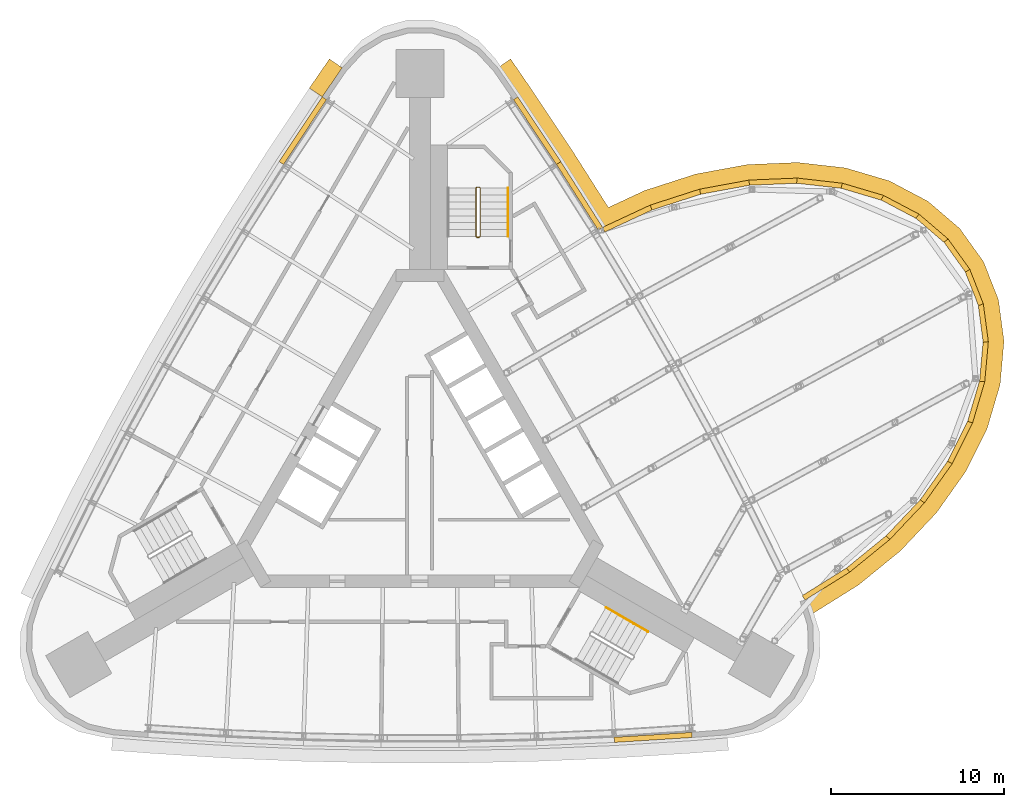
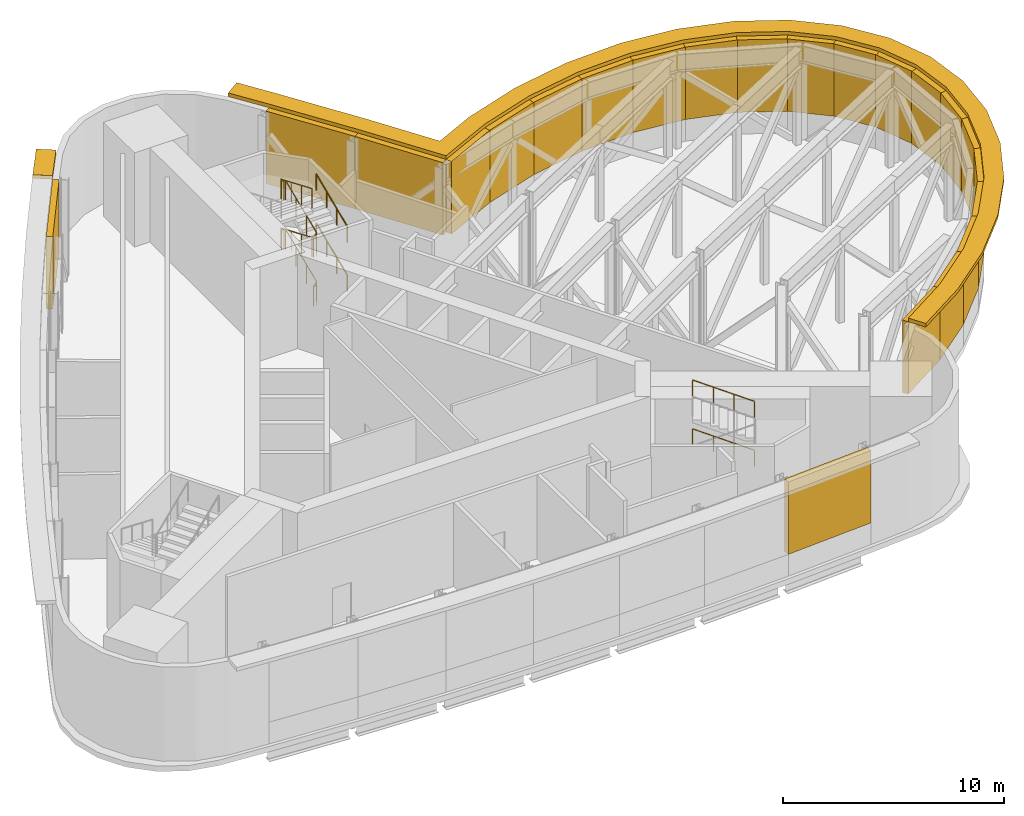
# One storey, part 11 of 11: 24 shading devices, 5 railings.
"""IFC4 building model written with IfcOpenShell, lengths in metres."""

from ifc_helpers import new_model, si_unit, direction, frame, origin, origin_2d, place, context, subcontext, project, spatial, polyline, circle, outline, extrude, material, type_object, element, save


model = new_model("IFC4")

# Units and contexts
model_context = context("Model", 3, precision=1e-05, world=origin(), true_north=direction((0.0, 1.0)))
body_context = subcontext(model_context, "Body", "Model", "MODEL_VIEW")
ifc_project = project(units=[si_unit("LENGTHUNIT", "METRE"), si_unit("AREAUNIT", "SQUARE_METRE"), si_unit("VOLUMEUNIT", "CUBIC_METRE"), si_unit("PLANEANGLEUNIT", "RADIAN"), si_unit("MASSUNIT", "GRAM", prefix="KILO")], contexts=[model_context])

# Site, building, storey
site_placement = place(None, origin())
site = spatial("IfcSite", under=ifc_project, at=site_placement, CompositionType="ELEMENT")
building_placement = place(site_placement, origin())
building = spatial("IfcBuilding", under=site, at=building_placement, Name="Noor Cloister Tower", CompositionType="ELEMENT")
storey_placement = place(building_placement, frame((0.0, 0.0, 168.89990234375)))
storey = spatial("IfcBuildingStorey", under=building, at=storey_placement, Name="L43", CompositionType="ELEMENT", Elevation=168.89990234375)

# Shading devices
ifc_material_1 = material(Name="Aluminium 6063-T6 anodised", Category="aluminium")
shading_device_type_1 = type_object("IfcShadingDeviceType", Name="LOUVRE plant air 40 percent free", PredefinedType="USERDEFINED", material=ifc_material_1)
shading_device_1_placement = place(storey_placement, frame((0.0, 0.0, 1.2001953125)))
element("IfcShadingDevice", 1, at=shading_device_1_placement, inside=storey, type_object=shading_device_type_1, Name="LOUVRE L43 1.1", ObjectType="LOUVRE", PredefinedType="USERDEFINED", context=body_context, shape_type="SweptSolid", body=[
    extrude(outline(polyline([(-5.65234375, 21.43310546875), (-8.145263671875, 17.68701171875), (-7.8955078125, 17.520751953125), (-5.402587890625, 21.26708984375), (-5.65234375, 21.43310546875)])), origin(), (0.0, 0.0, 1.0), 4.0),
])
shading_device_2_placement = place(storey_placement, frame((0.0, 0.0, 1.2001953125)))
element("IfcShadingDevice", 2, at=shading_device_2_placement, inside=storey, type_object=shading_device_type_1, Name="LOUVRE L43 2.7", ObjectType="LOUVRE", PredefinedType="USERDEFINED", context=body_context, shape_type="SweptSolid", body=[
    extrude(outline(polyline([(11.24462890625, -15.8974609375), (15.735595703125, -15.611572265625), (15.716552734375, -15.312255859375), (11.2255859375, -15.597900390625), (11.24462890625, -15.8974609375)])), origin(), (0.0, 0.0, 1.0), 4.0),
])
shading_device_3_placement = place(storey_placement, frame((0.0, 0.0, 1.2001953125)))
element("IfcShadingDevice", 3, at=shading_device_3_placement, inside=storey, type_object=shading_device_type_1, Name="LOUVRE L43 3.1", ObjectType="LOUVRE", PredefinedType="USERDEFINED", context=body_context, shape_type="SweptSolid", body=[
    extrude(outline(polyline([(22.264892578125, -7.662353515625), (24.84619140625, -6.048095703125), (24.687255859375, -5.793701171875), (22.10595703125, -7.407958984375), (22.264892578125, -7.662353515625)])), origin(), (0.0, 0.0, 1.0), 4.0),
])
shading_device_4_placement = place(storey_placement, frame((0.0, 0.0, 1.2001953125)))
element("IfcShadingDevice", 4, at=shading_device_4_placement, inside=storey, type_object=shading_device_type_1, Name="LOUVRE L43 3.2", ObjectType="LOUVRE", PredefinedType="USERDEFINED", context=body_context, shape_type="SweptSolid", body=[
    extrude(outline(polyline([(24.84619140625, -6.048095703125), (27.17138671875, -4.155517578125), (26.98193359375, -3.9228515625), (24.656982421875, -5.8154296875), (24.84619140625, -6.048095703125)])), origin(), (0.0, 0.0, 1.0), 4.0),
])
shading_device_5_placement = place(storey_placement, frame((0.0, 0.0, 1.2001953125)))
element("IfcShadingDevice", 5, at=shading_device_5_placement, inside=storey, type_object=shading_device_type_1, Name="LOUVRE L43 3.3", ObjectType="LOUVRE", PredefinedType="USERDEFINED", context=body_context, shape_type="SweptSolid", body=[
    extrude(outline(polyline([(27.17138671875, -4.155517578125), (29.16943359375, -2.0419921875), (28.951416015625, -1.8359375), (26.953369140625, -3.94921875), (27.17138671875, -4.155517578125)])), origin(), (0.0, 0.0, 1.0), 4.0),
])
shading_device_6_placement = place(storey_placement, frame((0.0, 0.0, 1.2001953125)))
element("IfcShadingDevice", 6, at=shading_device_6_placement, inside=storey, type_object=shading_device_type_1, Name="LOUVRE L43 3.4", ObjectType="LOUVRE", PredefinedType="USERDEFINED", context=body_context, shape_type="SweptSolid", body=[
    extrude(outline(polyline([(29.16943359375, -2.0419921875), (30.780029296875, 0.22802734375), (30.535400390625, 0.401611328125), (28.9248046875, -1.868408203125), (29.16943359375, -2.0419921875)])), origin(), (0.0, 0.0, 1.0), 4.0),
])
shading_device_7_placement = place(storey_placement, frame((0.0, 0.0, 1.2001953125)))
element("IfcShadingDevice", 7, at=shading_device_7_placement, inside=storey, type_object=shading_device_type_1, Name="LOUVRE L43 3.5", ObjectType="LOUVRE", PredefinedType="USERDEFINED", context=body_context, shape_type="SweptSolid", body=[
    extrude(outline(polyline([(30.780029296875, 0.22802734375), (31.953857421875, 2.5859375), (31.685302734375, 2.7197265625), (30.511474609375, 0.36181640625), (30.780029296875, 0.22802734375)])), origin(), (0.0, 0.0, 1.0), 4.0),
])
shading_device_8_placement = place(storey_placement, frame((0.0, 0.0, 1.2001953125)))
element("IfcShadingDevice", 8, at=shading_device_8_placement, inside=storey, type_object=shading_device_type_1, Name="LOUVRE L43 3.6", ObjectType="LOUVRE", PredefinedType="USERDEFINED", context=body_context, shape_type="SweptSolid", body=[
    extrude(outline(polyline([(31.953857421875, 2.5859375), (32.65576171875, 4.959716796875), (32.367919921875, 5.044677734375), (31.666259765625, 2.6708984375), (31.953857421875, 2.5859375)])), origin(), (0.0, 0.0, 1.0), 4.0),
])
shading_device_9_placement = place(storey_placement, frame((0.0, 0.0, 1.2001953125)))
element("IfcShadingDevice", 9, at=shading_device_9_placement, inside=storey, type_object=shading_device_type_1, Name="LOUVRE L43 3.7", ObjectType="LOUVRE", PredefinedType="USERDEFINED", context=body_context, shape_type="SweptSolid", body=[
    extrude(outline(polyline([(32.65576171875, 4.959716796875), (32.86376953125, 7.27734375), (32.56494140625, 7.30419921875), (32.35693359375, 4.986572265625), (32.65576171875, 4.959716796875)])), origin(), (0.0, 0.0, 1.0), 4.0),
])
shading_device_10_placement = place(storey_placement, frame((0.0, 0.0, 1.2001953125)))
element("IfcShadingDevice", 10, at=shading_device_10_placement, inside=storey, type_object=shading_device_type_1, Name="LOUVRE L43 3.8", ObjectType="LOUVRE", PredefinedType="USERDEFINED", context=body_context, shape_type="SweptSolid", body=[
    extrude(outline(polyline([(32.86376953125, 7.27734375), (32.572021484375, 9.468505859375), (32.274658203125, 9.428955078125), (32.56640625, 7.23779296875), (32.86376953125, 7.27734375)])), origin(), (0.0, 0.0, 1.0), 4.0),
])
shading_device_11_placement = place(storey_placement, frame((0.0, 0.0, 1.2001953125)))
element("IfcShadingDevice", 11, at=shading_device_11_placement, inside=storey, type_object=shading_device_type_1, Name="LOUVRE L43 3.9", ObjectType="LOUVRE", PredefinedType="USERDEFINED", context=body_context, shape_type="SweptSolid", body=[
    extrude(outline(polyline([(32.572021484375, 9.468505859375), (31.7890625, 11.466552734375), (31.509765625, 11.357177734375), (32.292724609375, 9.359130859375), (32.572021484375, 9.468505859375)])), origin(), (0.0, 0.0, 1.0), 4.0),
])
shading_device_12_placement = place(storey_placement, frame((0.0, 0.0, 1.2001953125)))
element("IfcShadingDevice", 12, at=shading_device_12_placement, inside=storey, type_object=shading_device_type_1, Name="LOUVRE L43 3.10", ObjectType="LOUVRE", PredefinedType="USERDEFINED", context=body_context, shape_type="SweptSolid", body=[
    extrude(outline(polyline([(31.7890625, 11.466552734375), (30.5390625, 13.210693359375), (30.295166015625, 13.0361328125), (31.54541015625, 11.291748046875), (31.7890625, 11.466552734375)])), origin(), (0.0, 0.0, 1.0), 4.0),
])
shading_device_13_placement = place(storey_placement, frame((0.0, 0.0, 1.2001953125)))
element("IfcShadingDevice", 13, at=shading_device_13_placement, inside=storey, type_object=shading_device_type_1, Name="LOUVRE L43 3.11", ObjectType="LOUVRE", PredefinedType="USERDEFINED", context=body_context, shape_type="SweptSolid", body=[
    extrude(outline(polyline([(30.5390625, 13.210693359375), (28.85986328125, 14.648193359375), (28.664794921875, 14.42041015625), (30.343994140625, 12.98291015625), (30.5390625, 13.210693359375)])), origin(), (0.0, 0.0, 1.0), 4.0),
])
shading_device_14_placement = place(storey_placement, frame((0.0, 0.0, 1.2001953125)))
element("IfcShadingDevice", 14, at=shading_device_14_placement, inside=storey, type_object=shading_device_type_1, Name="LOUVRE L43 3.12", ObjectType="LOUVRE", PredefinedType="USERDEFINED", context=body_context, shape_type="SweptSolid", body=[
    extrude(outline(polyline([(28.85986328125, 14.648193359375), (26.80224609375, 15.735107421875), (26.662109375, 15.469970703125), (28.7197265625, 14.383056640625), (28.85986328125, 14.648193359375)])), origin(), (0.0, 0.0, 1.0), 4.0),
])
shading_device_15_placement = place(storey_placement, frame((0.0, 0.0, 1.2001953125)))
element("IfcShadingDevice", 15, at=shading_device_15_placement, inside=storey, type_object=shading_device_type_1, Name="LOUVRE L43 3.13", ObjectType="LOUVRE", PredefinedType="USERDEFINED", context=body_context, shape_type="SweptSolid", body=[
    extrude(outline(polyline([(26.80224609375, 15.735107421875), (24.428955078125, 16.4384765625), (24.34375, 16.15087890625), (26.717041015625, 15.447509765625), (26.80224609375, 15.735107421875)])), origin(), (0.0, 0.0, 1.0), 4.0),
])
shading_device_16_placement = place(storey_placement, frame((0.0, 0.0, 1.2001953125)))
element("IfcShadingDevice", 16, at=shading_device_16_placement, inside=storey, type_object=shading_device_type_1, Name="LOUVRE L43 3.14", ObjectType="LOUVRE", PredefinedType="USERDEFINED", context=body_context, shape_type="SweptSolid", body=[
    extrude(outline(polyline([(24.428955078125, 16.4384765625), (21.81201171875, 16.737060546875), (21.778076171875, 16.43896484375), (24.39501953125, 16.140625), (24.428955078125, 16.4384765625)])), origin(), (0.0, 0.0, 1.0), 4.0),
])
shading_device_17_placement = place(storey_placement, frame((0.0, 0.0, 1.2001953125)))
element("IfcShadingDevice", 17, at=shading_device_17_placement, inside=storey, type_object=shading_device_type_1, Name="LOUVRE L43 3.15", ObjectType="LOUVRE", PredefinedType="USERDEFINED", context=body_context, shape_type="SweptSolid", body=[
    extrude(outline(polyline([(21.81201171875, 16.737060546875), (19.03125, 16.62158203125), (19.043701171875, 16.322021484375), (21.824462890625, 16.437255859375), (21.81201171875, 16.737060546875)])), origin(), (0.0, 0.0, 1.0), 4.0),
])
shading_device_18_placement = place(storey_placement, frame((0.0, 0.0, 1.2001953125)))
element("IfcShadingDevice", 18, at=shading_device_18_placement, inside=storey, type_object=shading_device_type_1, Name="LOUVRE L43 3.16", ObjectType="LOUVRE", PredefinedType="USERDEFINED", context=body_context, shape_type="SweptSolid", body=[
    extrude(outline(polyline([(19.03125, 16.62158203125), (16.170654296875, 16.095947265625), (16.224853515625, 15.80078125), (19.08544921875, 16.32666015625), (19.03125, 16.62158203125)])), origin(), (0.0, 0.0, 1.0), 4.0),
])
shading_device_19_placement = place(storey_placement, frame((0.0, 0.0, 1.2001953125)))
element("IfcShadingDevice", 19, at=shading_device_19_placement, inside=storey, type_object=shading_device_type_1, Name="LOUVRE L43 3.17", ObjectType="LOUVRE", PredefinedType="USERDEFINED", context=body_context, shape_type="SweptSolid", body=[
    extrude(outline(polyline([(16.170654296875, 16.095947265625), (13.3173828125, 15.175537109375), (13.409423828125, 14.889892578125), (16.2626953125, 15.810302734375), (16.170654296875, 16.095947265625)])), origin(), (0.0, 0.0, 1.0), 4.0),
])
shading_device_20_placement = place(storey_placement, frame((0.0, 0.0, 1.2001953125)))
element("IfcShadingDevice", 20, at=shading_device_20_placement, inside=storey, type_object=shading_device_type_1, Name="LOUVRE L43 3.18", ObjectType="LOUVRE", PredefinedType="USERDEFINED", context=body_context, shape_type="SweptSolid", body=[
    extrude(outline(polyline([(13.3173828125, 15.175537109375), (10.55810546875, 13.888671875), (10.68505859375, 13.61669921875), (13.444091796875, 14.903564453125), (13.3173828125, 15.175537109375)])), origin(), (0.0, 0.0, 1.0), 4.0),
])
shading_device_21_placement = place(storey_placement, frame((0.0, 0.0, 1.2001953125)))
element("IfcShadingDevice", 21, at=shading_device_21_placement, inside=storey, type_object=shading_device_type_1, Name="LOUVRE L43 4.1", ObjectType="LOUVRE", PredefinedType="USERDEFINED", context=body_context, shape_type="SweptSolid", body=[
    extrude(outline(polyline([(10.55810546875, 13.888671875), (8.145263671875, 17.68701171875), (7.891845703125, 17.526123046875), (10.304931640625, 13.727783203125), (10.55810546875, 13.888671875)])), origin(), (0.0, 0.0, 1.0), 4.0),
])
shading_device_22_placement = place(storey_placement, frame((0.0, 0.0, 1.2001953125)))
element("IfcShadingDevice", 22, at=shading_device_22_placement, inside=storey, type_object=shading_device_type_1, Name="LOUVRE L43 4.2", ObjectType="LOUVRE", PredefinedType="USERDEFINED", context=body_context, shape_type="SweptSolid", body=[
    extrude(outline(polyline([(8.145263671875, 17.68701171875), (5.65234375, 21.43310546875), (5.402587890625, 21.26708984375), (7.8955078125, 17.520751953125), (8.145263671875, 17.68701171875)])), origin(), (0.0, 0.0, 1.0), 4.0),
])
ifc_material_2 = material(Name="Limestone", Category="masonry")
shading_device_type_2 = type_object("IfcShadingDeviceType", Name="SUNSHADE limestone band 900", PredefinedType="USERDEFINED", material=ifc_material_2)
shading_device_23_placement = place(storey_placement, frame((0.0, 0.0, 5.2001953125)))
element("IfcShadingDevice", 23, at=shading_device_23_placement, inside=storey, type_object=shading_device_type_2, Name="SUNSHADE L43 3", ObjectType="SUNSHADE", PredefinedType="USERDEFINED", context=body_context, shape_type="SweptSolid", body=[
    extrude(outline(polyline([(22.7421875, -8.42529296875), (25.37109375, -6.781494140625), (27.78515625, -4.81640625), (29.866943359375, -2.6142578125), (31.554443359375, -0.235595703125), (32.794677734375, 2.25537109375), (33.5439453125, 4.790283203125), (33.76904296875, 7.296630859375), (33.44970703125, 9.6953125), (32.586181640625, 11.8994140625), (31.207275390625, 13.82373046875), (29.368896484375, 15.397216796875), (27.1435546875, 16.57275390625), (24.609375, 17.32373046875), (21.8447265625, 17.63916015625), (18.9306640625, 17.518310546875), (15.9501953125, 16.970458984375), (12.98779296875, 16.014892578125), (10.89404296875, 15.038330078125), (8.899658203125, 18.177490234375), (6.397705078125, 21.9375), (5.23828125, 23.623291015625), (4.496826171875, 23.113037109375), (5.65234375, 21.43310546875), (8.145263671875, 17.68701171875), (10.55810546875, 13.888671875), (13.3173828125, 15.175537109375), (16.170654296875, 16.095947265625), (19.03125, 16.62158203125), (21.81201171875, 16.737060546875), (24.428955078125, 16.4384765625), (26.80224609375, 15.735107421875), (28.85986328125, 14.648193359375), (30.5390625, 13.210693359375), (31.7890625, 11.466552734375), (32.572021484375, 9.468505859375), (32.86376953125, 7.27734375), (32.65576171875, 4.959716796875), (31.953857421875, 2.5859375), (30.780029296875, 0.22802734375), (29.16943359375, -2.0419921875), (27.17138671875, -4.155517578125), (24.84619140625, -6.048095703125), (22.264892578125, -7.662353515625), (22.7421875, -8.42529296875)])), origin(), (0.0, 0.0, 1.0), 0.199951171875),
])
shading_device_24_placement = place(storey_placement, frame((0.0, 0.0, 5.2001953125)))
element("IfcShadingDevice", 24, at=shading_device_24_placement, inside=storey, type_object=shading_device_type_2, Name="SUNSHADE L43 4", ObjectType="SUNSHADE", PredefinedType="USERDEFINED", context=body_context, shape_type="SweptSolid", body=[
    extrude(outline(polyline([(-5.23828125, 23.623291015625), (-6.393798828125, 21.943359375), (-5.65234375, 21.43310546875), (-4.496826171875, 23.113037109375), (-5.23828125, 23.623291015625)])), origin(), (0.0, 0.0, 1.0), 0.199951171875),
])

# Railings
ifc_material_3 = material(Name="Stainless steel", Category="steel")
railing_type_1 = type_object("IfcRailingType", Name="Stair guard 1100", PredefinedType="GUARDRAIL", material=ifc_material_3)
railing_placement = place(storey_placement, frame((3.435546875, 13.306396484375, 0.0)))
element("IfcRailing", 25, at=railing_placement, inside=storey, type_object=railing_type_1, Name="Stair guard ST1 L43", PredefinedType="GUARDRAIL", context=body_context, shape_type="SweptSolid", body=[
    extrude(circle(Radius=0.02392578125, at=origin_2d()), frame((0.0, 0.0, 1.076171875), z_axis=(-1.0, 0.0, 0.0), x_axis=(0.0, -1.0, 0.0)), (0.0, 0.0, 1.0), 0.14990234375),
    extrude(circle(Radius=0.02392578125, at=origin_2d()), frame((-0.14990234375, 0.0, 1.076171875), z_axis=(0.750256113699, 0.187793044333, 0.633916032576), x_axis=(-0.242814311512, 0.970072785993, 0.0)), (0.0, 0.0, 1.0), 0.2666015625),
    extrude(circle(Radius=0.02392578125, at=origin_2d()), frame((0.050048828125, 0.050048828125, 1.2451171875), z_axis=(0.0, 0.921378096441, 0.388667471495), x_axis=(-1.0, 0.0, 0.0)), (0.0, 0.0, 1.0), 3.0390625),
    extrude(circle(Radius=0.02392578125, at=origin_2d()), frame((0.050048828125, 2.85009765625, 2.42626953125), z_axis=(-0.708833529934, 0.705375805398, 0.0), x_axis=(-0.705375805398, -0.708833529934, 0.0)), (0.0, 0.0, 1.0), 0.070556640625),
    extrude(circle(Radius=0.02392578125, at=origin_2d()), frame((0.0, 2.89990234375, 2.42626953125), z_axis=(-1.0, 0.0, 0.0), x_axis=(0.0, -1.0, 0.0)), (0.0, 0.0, 1.0), 0.14990234375),
    extrude(circle(Radius=0.02392578125, at=origin_2d()), frame((-0.14990234375, 2.89990234375, 2.42626953125), z_axis=(-0.273668752699, -0.272333783174, 0.922463942026), x_axis=(0.705375805398, -0.708833529934, 0.0)), (0.0, 0.0, 1.0), 0.182861328125),
    extrude(circle(Radius=0.02392578125, at=origin_2d()), frame((-0.199951171875, 2.85009765625, 2.5947265625), z_axis=(0.0, -0.921349325574, 0.388735668886), x_axis=(1.0, 0.0, 0.0)), (0.0, 0.0, 1.0), 3.0390625),
    extrude(circle(Radius=0.02392578125, at=origin_2d()), frame((-0.199951171875, 0.050048828125, 3.7763671875), z_axis=(0.970072785993, -0.242814311512, 0.0), x_axis=(0.242814311512, 0.970072785993, 0.0)), (0.0, 0.0, 1.0), 0.2060546875),
    extrude(circle(Radius=0.02392578125, at=origin_2d()), frame((0.0, 0.0, 3.7763671875), z_axis=(-1.0, 0.0, 0.0), x_axis=(0.0, -1.0, 0.0)), (0.0, 0.0, 1.0), 0.14990234375),
    extrude(circle(Radius=0.02392578125, at=origin_2d()), frame((-0.14990234375, 0.0, 3.7763671875), z_axis=(0.750691857518, 0.187902113298, 0.633367611166), x_axis=(-0.242814311512, 0.970072785993, 0.0)), (0.0, 0.0, 1.0), 0.266357421875),
    extrude(circle(Radius=0.02392578125, at=origin_2d()), frame((0.050048828125, 0.050048828125, 3.94482421875), z_axis=(0.0, 0.921378096441, 0.388667471495), x_axis=(-1.0, 0.0, 0.0)), (0.0, 0.0, 1.0), 3.0390625),
    extrude(circle(Radius=0.02392578125, at=origin_2d()), frame((0.050048828125, 2.85009765625, 5.1259765625), z_axis=(-0.708833529934, 0.705375805398, 0.0), x_axis=(-0.705375805398, -0.708833529934, 0.0)), (0.0, 0.0, 1.0), 0.070556640625),
    extrude(circle(Radius=0.02392578125, at=origin_2d()), frame((0.0, 2.89990234375, 5.1259765625), z_axis=(-1.0, 0.0, 0.0), x_axis=(0.0, -1.0, 0.0)), (0.0, 0.0, 1.0), 0.14990234375),
    extrude(circle(Radius=0.02392578125, at=origin_2d()), frame((-0.14990234375, 2.89990234375, 5.1259765625), z_axis=(-0.273668752699, -0.272333783174, 0.922463942026), x_axis=(0.705375805398, -0.708833529934, 0.0)), (0.0, 0.0, 1.0), 0.182861328125),
    extrude(circle(Radius=0.02392578125, at=origin_2d()), frame((-0.199951171875, 2.85009765625, 5.294921875), z_axis=(0.0, -0.921349325574, 0.388735668886), x_axis=(1.0, 0.0, 0.0)), (0.0, 0.0, 1.0), 3.0390625),
    extrude(circle(Radius=0.02099609375, at=origin_2d()), origin(), (0.0, 0.0, 1.0), 1.052001953125),
    extrude(circle(Radius=0.02099609375, at=origin_2d()), frame((-0.14990234375, 0.0, 0.0)), (0.0, 0.0, 1.0), 1.052001953125),
    extrude(circle(Radius=0.02099609375, at=origin_2d()), frame((0.050048828125, 0.050048828125, 0.1689453125)), (0.0, 0.0, 1.0), 1.052001953125),
    extrude(circle(Radius=0.02099609375, at=origin_2d()), frame((0.050048828125, 0.9833984375, 0.562744140625)), (0.0, 0.0, 1.0), 1.052001953125),
    extrude(circle(Radius=0.02099609375, at=origin_2d()), frame((0.050048828125, 1.916748046875, 0.956298828125)), (0.0, 0.0, 1.0), 1.052001953125),
    extrude(circle(Radius=0.02099609375, at=origin_2d()), frame((0.050048828125, 2.85009765625, 1.35009765625)), (0.0, 0.0, 1.0), 1.052001953125),
    extrude(circle(Radius=0.02099609375, at=origin_2d()), frame((0.0, 2.89990234375, 1.35009765625)), (0.0, 0.0, 1.0), 1.052001953125),
    extrude(circle(Radius=0.02099609375, at=origin_2d()), frame((-0.14990234375, 2.89990234375, 1.35009765625)), (0.0, 0.0, 1.0), 1.052001953125),
    extrude(circle(Radius=0.02099609375, at=origin_2d()), frame((-0.199951171875, 2.85009765625, 1.518798828125)), (0.0, 0.0, 1.0), 1.052001953125),
    extrude(circle(Radius=0.02099609375, at=origin_2d()), frame((-0.199951171875, 1.916748046875, 1.91259765625)), (0.0, 0.0, 1.0), 1.052001953125),
    extrude(circle(Radius=0.02099609375, at=origin_2d()), frame((-0.199951171875, 0.9833984375, 2.306396484375)), (0.0, 0.0, 1.0), 1.052001953125),
    extrude(circle(Radius=0.02099609375, at=origin_2d()), frame((-0.199951171875, 0.050048828125, 2.7001953125)), (0.0, 0.0, 1.0), 1.052001953125),
    extrude(circle(Radius=0.02099609375, at=origin_2d()), frame((0.0, 0.0, 2.7001953125)), (0.0, 0.0, 1.0), 1.052001953125),
    extrude(circle(Radius=0.02099609375, at=origin_2d()), frame((-0.14990234375, 0.0, 2.7001953125)), (0.0, 0.0, 1.0), 1.052001953125),
    extrude(circle(Radius=0.02099609375, at=origin_2d()), frame((0.050048828125, 0.050048828125, 2.868896484375)), (0.0, 0.0, 1.0), 1.052001953125),
    extrude(circle(Radius=0.02099609375, at=origin_2d()), frame((0.050048828125, 0.9833984375, 3.2626953125)), (0.0, 0.0, 1.0), 1.052001953125),
    extrude(circle(Radius=0.02099609375, at=origin_2d()), frame((0.050048828125, 1.916748046875, 3.65625)), (0.0, 0.0, 1.0), 1.052001953125),
    extrude(circle(Radius=0.02099609375, at=origin_2d()), frame((0.050048828125, 2.85009765625, 4.050048828125)), (0.0, 0.0, 1.0), 1.052001953125),
    extrude(circle(Radius=0.02099609375, at=origin_2d()), frame((0.0, 2.89990234375, 4.050048828125)), (0.0, 0.0, 1.0), 1.052001953125),
    extrude(circle(Radius=0.02099609375, at=origin_2d()), frame((-0.14990234375, 2.89990234375, 4.050048828125)), (0.0, 0.0, 1.0), 1.052001953125),
    extrude(circle(Radius=0.02099609375, at=origin_2d()), frame((-0.199951171875, 2.85009765625, 4.21875)), (0.0, 0.0, 1.0), 1.052001953125),
    extrude(circle(Radius=0.02099609375, at=origin_2d()), frame((-0.199951171875, 1.916748046875, 4.612548828125)), (0.0, 0.0, 1.0), 1.052001953125),
    extrude(circle(Radius=0.02099609375, at=origin_2d()), frame((-0.199951171875, 0.9833984375, 5.00634765625)), (0.0, 0.0, 1.0), 1.052001953125),
    extrude(circle(Radius=0.02099609375, at=origin_2d()), frame((-0.199951171875, 0.050048828125, 5.400146484375)), (0.0, 0.0, 1.0), 1.052001953125),
])
ifc_material_4 = material(Name="Stainless steel", Category="steel")
railing_type_2 = type_object("IfcRailingType", Name="Stair handrail 900", PredefinedType="HANDRAIL", material=ifc_material_4)
for number, where, name in (
    (26, (5.085693359375, 13.3564453125, 0.1689453125), "Stair handrail ST1 L43 1"),
    (27, (5.085693359375, 13.3564453125, 2.868896484375), "Stair handrail ST1 L43 3"),
):
    element("IfcRailing", number, at=place(storey_placement, frame(where)), inside=storey, type_object=railing_type_2, Name=name, PredefinedType="HANDRAIL", context=body_context, shape_type="SweptSolid", body=[
        extrude(circle(Radius=0.02392578125, at=origin_2d()), frame((0.0, 0.0, 0.8759765625), z_axis=(0.0, 0.921378096441, 0.388667471495), x_axis=(-1.0, 0.0, 0.0)), (0.0, 0.0, 1.0), 3.0390625),
        extrude(circle(Radius=0.02099609375, at=origin_2d()), origin(), (0.0, 0.0, 1.0), 0.851806640625),
        extrude(circle(Radius=0.02099609375, at=origin_2d()), frame((0.0, 0.933349609375, 0.393798828125)), (0.0, 0.0, 1.0), 0.851806640625),
        extrude(circle(Radius=0.02099609375, at=origin_2d()), frame((0.0, 1.86669921875, 0.787353515625)), (0.0, 0.0, 1.0), 0.851806640625),
        extrude(circle(Radius=0.02099609375, at=origin_2d()), frame((0.0, 2.800048828125, 1.18115234375)), (0.0, 0.0, 1.0), 0.851806640625),
    ])
for number, where, name in (
    (28, (13.174072265625, -9.49462890625, 1.518798828125), "Stair handrail ST3 L43 2"),
    (29, (13.174072265625, -9.49462890625, 4.21875), "Stair handrail ST3 L43 4"),
):
    element("IfcRailing", number, at=place(storey_placement, frame(where)), inside=storey, type_object=railing_type_2, Name=name, PredefinedType="HANDRAIL", context=body_context, shape_type="SweptSolid", body=[
        extrude(circle(Radius=0.02392578125, at=origin_2d()), frame((0.0, 0.0, 0.8759765625), z_axis=(-0.797913686838, 0.460656169989, 0.388753959989), x_axis=(-0.49998411664, -0.866034573852, 0.0)), (0.0, 0.0, 1.0), 3.038818359375),
        extrude(circle(Radius=0.02099609375, at=origin_2d()), origin(), (0.0, 0.0, 1.0), 0.851806640625),
        extrude(circle(Radius=0.02099609375, at=origin_2d()), frame((-0.808349609375, 0.466552734375, 0.393798828125)), (0.0, 0.0, 1.0), 0.851806640625),
        extrude(circle(Radius=0.02099609375, at=origin_2d()), frame((-1.616455078125, 0.933349609375, 0.78759765625)), (0.0, 0.0, 1.0), 0.851806640625),
        extrude(circle(Radius=0.02099609375, at=origin_2d()), frame((-2.4248046875, 1.39990234375, 1.181396484375)), (0.0, 0.0, 1.0), 0.851806640625),
    ])

save(model, "model.ifc")
